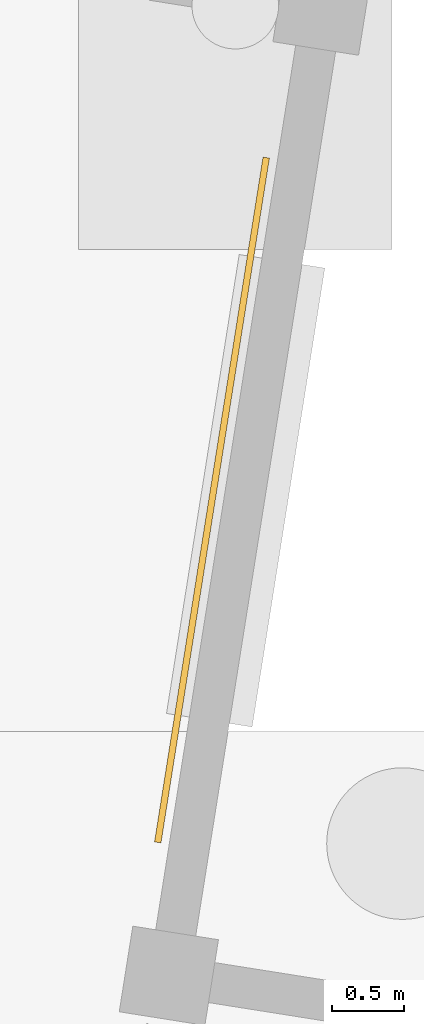
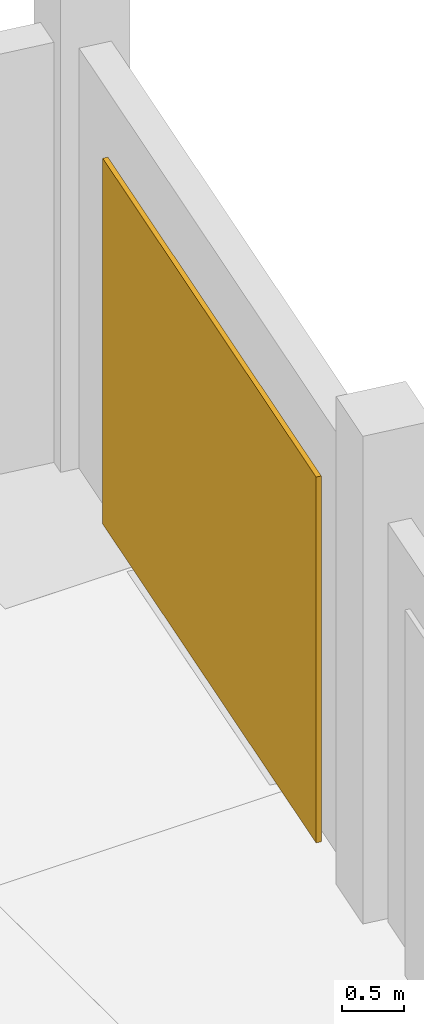
# One storey, part 71 of 72: 1 covering.
"""IFC4 building model written with IfcOpenShell, lengths in metres."""

from ifc_helpers import new_model, si_unit, direction, frame, origin, origin_2d, place, context, subcontext, project, spatial, rectangle, extrude, material, layer, layer_set, type_object, element, save


model = new_model("IFC4")

# Units and contexts
model_context = context("Model", 3, precision=1e-05, world=origin(), true_north=direction((0.0, 1.0)))
body_context = subcontext(model_context, "Body", "Model", "MODEL_VIEW")
ifc_project = project(units=[si_unit("LENGTHUNIT", "METRE"), si_unit("AREAUNIT", "SQUARE_METRE"), si_unit("VOLUMEUNIT", "CUBIC_METRE"), si_unit("PLANEANGLEUNIT", "RADIAN"), si_unit("MASSUNIT", "GRAM", prefix="KILO")], contexts=[model_context])

# Site, building, storey
site_placement = place(None, origin())
site = spatial("IfcSite", under=ifc_project, at=site_placement, CompositionType="ELEMENT")
building_placement = place(site_placement, origin())
building = spatial("IfcBuilding", under=site, at=building_placement, Name="Cinderway Yard Community Centre", CompositionType="ELEMENT")
storey_placement = place(building_placement, origin())
storey = spatial("IfcBuildingStorey", under=building, at=storey_placement, Name="L00", CompositionType="ELEMENT", Elevation=0.0)

# Covering
ifc_material = material(Name="Acoustic Slotted Brick Liner", Category="masonry")
ifc_layer = layer(ifc_material, 0.044921875, Name="Acoustic Slotted Brick Liner")
ifc_layer_set = layer_set([ifc_layer], Name="Acoustic Slotted Brick Liner")
covering_type = type_object("IfcCoveringType", Name="INT-COV-CLAD-BRK", PredefinedType="CLADDING", material=ifc_layer_set)
covering_placement = place(storey_placement, frame((144.951904296875, 71.49609375, 0.0), z_axis=(0.0, 0.0, 1.0), x_axis=(0.987688340595, -0.15643446504, 0.0)))
element("IfcCovering", 1, at=covering_placement, inside=storey, type_object=covering_type, Name="Sports Hall Acoustic Liner 06", PredefinedType="CLADDING", context=body_context, shape_type="SweptSolid", body=[
    extrude(rectangle(XDim=0.044921875, YDim=4.800048828125, at=origin_2d()), origin(), (0.0, 0.0, 1.0), 3.60009765625),
])

save(model, "model.ifc")
